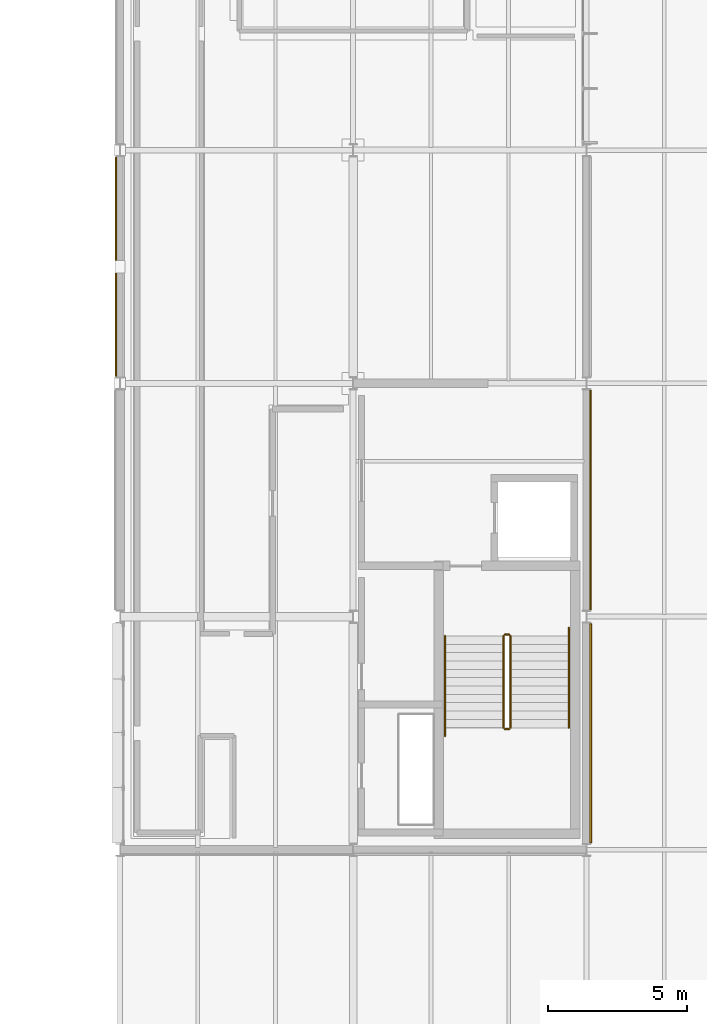
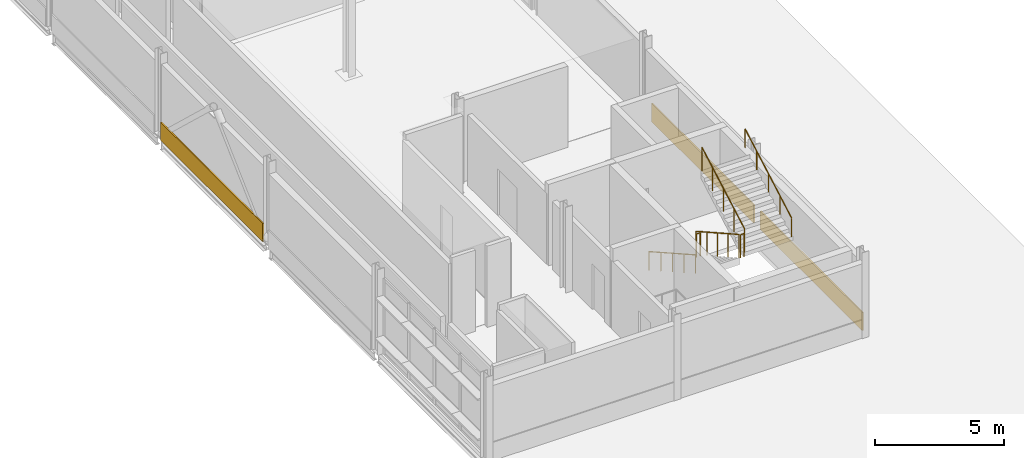
# One storey, part 147 of 151: 6 railings, 3 coverings.
"""IFC4 building model written with IfcOpenShell, lengths in metres."""

from ifc_helpers import new_model, si_unit, direction, frame, origin, origin_2d, place, context, subcontext, project, spatial, rectangle, circle, extrude, material, layer, layer_set, type_object, element, save


model = new_model("IFC4")

# Units and contexts
model_context = context("Model", 3, precision=1e-05, world=origin(), true_north=direction((0.0, 1.0)))
body_context = subcontext(model_context, "Body", "Model", "MODEL_VIEW")
ifc_project = project(units=[si_unit("LENGTHUNIT", "METRE"), si_unit("AREAUNIT", "SQUARE_METRE"), si_unit("VOLUMEUNIT", "CUBIC_METRE"), si_unit("PLANEANGLEUNIT", "RADIAN"), si_unit("MASSUNIT", "GRAM", prefix="KILO")], contexts=[model_context])

# Site, building, storey
site_placement = place(None, origin())
site = spatial("IfcSite", under=ifc_project, at=site_placement, CompositionType="ELEMENT")
building_placement = place(site_placement, origin())
building = spatial("IfcBuilding", under=site, at=building_placement, Name="Mersafa Astral City Hall", CompositionType="ELEMENT")
storey_placement = place(building_placement, frame((0.0, 0.0, 9.89990234375)))
storey = spatial("IfcBuildingStorey", under=building, at=storey_placement, Name="L02", CompositionType="ELEMENT", Elevation=9.89990234375)

# Coverings
ifc_material_1 = material(Name="Cairo Mokattam buff limestone cladding", Category="masonry")
ifc_layer = layer(ifc_material_1, 0.06005859375, Name="Cairo Mokattam buff limestone cladding")
ifc_layer_set = layer_set([ifc_layer], Name="Cairo Mokattam buff limestone cladding — ENV-COV-LIMESTONE-60")
covering_type = type_object("IfcCoveringType", Name="ENV-COV-LIMESTONE-60", PredefinedType="CLADDING", material=ifc_layer_set)
for number, where, z_axis, x_axis, name in (
    (1, (159.46044921875, 71.39990234375, 0.0), (0.0, 0.0, 1.0), (0.0, -1.0, 0.0), "L02 Cairo buff limestone rainscreen cladding 166"),
    (2, (176.554443359375, 54.60009765625, 0.0), (0.0, 0.0, 1.0), (0.0, 1.0, 0.0), "L02 Cairo buff limestone rainscreen cladding 170"),
    (3, (176.547119140625, 63.0, 0.0), (0.0, 0.0, 1.0), (0.0, 1.0, 0.0), "L02 Cairo buff limestone rainscreen cladding 171"),
):
    element("IfcCovering", number, at=place(storey_placement, frame(where, z_axis=z_axis, x_axis=x_axis)), inside=storey, type_object=covering_type, Name=name, PredefinedType="CLADDING", context=body_context, shape_type="SweptSolid", body=[
        extrude(rectangle(XDim=7.89794921875, YDim=0.06005859375, at=origin_2d()), origin(), (0.0, 0.0, 1.0), 0.860107421875),
    ])

# Railings
ifc_material_2 = material(Name="Painted architectural steel stair guard balustrade", Category="steel")
railing_type_1 = type_object("IfcRailingType", Name="GUARD-RAIL", PredefinedType="BALUSTRADE", material=ifc_material_2)
railing_1_placement = place(storey_placement, frame((173.409912109375, 58.10009765625, 0.1689453125)))
element("IfcRailing", 4, at=railing_1_placement, inside=storey, type_object=railing_type_1, Name="L02 ST4 stair guard 1", PredefinedType="BALUSTRADE", context=body_context, shape_type="SweptSolid", body=[
    extrude(circle(Radius=0.02392578125, at=origin_2d()), frame((0.0, 0.0, 1.09619140625), z_axis=(0.0, -0.871584147158, 0.490245932592), x_axis=(1.0, 0.0, 0.0)), (0.0, 0.0, 1.0), 3.786376953125),
    extrude(circle(Radius=0.02099609375, at=origin_2d()), origin(), (0.0, 0.0, 1.0), 1.072021484375),
    extrude(circle(Radius=0.02099609375, at=origin_2d()), frame((0.0, -0.824951171875, 0.464111328125)), (0.0, 0.0, 1.0), 1.072021484375),
    extrude(circle(Radius=0.02099609375, at=origin_2d()), frame((0.0, -1.64990234375, 0.92822265625)), (0.0, 0.0, 1.0), 1.072021484375),
    extrude(circle(Radius=0.02099609375, at=origin_2d()), frame((0.0, -2.47509765625, 1.39208984375)), (0.0, 0.0, 1.0), 1.072021484375),
    extrude(circle(Radius=0.02099609375, at=origin_2d()), frame((0.0, -3.300048828125, 1.856201171875)), (0.0, 0.0, 1.0), 1.072021484375),
])
railing_2_placement = place(storey_placement, frame((173.4599609375, 54.75, 2.025146484375)))
element("IfcRailing", 5, at=railing_2_placement, inside=storey, type_object=railing_type_1, Name="L02 ST4 stair guard 2", PredefinedType="BALUSTRADE", context=body_context, shape_type="SweptSolid", body=[
    extrude(circle(Radius=0.02392578125, at=origin_2d()), frame((0.0, 0.0, 1.09619140625), z_axis=(1.0, 0.0, 0.0), x_axis=(0.0, 1.0, 0.0)), (0.0, 0.0, 1.0), 0.16015625),
    extrude(circle(Radius=0.02099609375, at=origin_2d()), origin(), (0.0, 0.0, 1.0), 1.072021484375),
    extrude(circle(Radius=0.02099609375, at=origin_2d()), frame((0.16015625, 0.0, 0.0)), (0.0, 0.0, 1.0), 1.072021484375),
])
railing_3_placement = place(storey_placement, frame((173.669921875, 54.800048828125, 2.19384765625)))
element("IfcRailing", 6, at=railing_3_placement, inside=storey, type_object=railing_type_1, Name="L02 ST4 stair guard 3", PredefinedType="BALUSTRADE", context=body_context, shape_type="SweptSolid", body=[
    extrude(circle(Radius=0.02392578125, at=origin_2d()), frame((0.0, 0.0, 1.09619140625), z_axis=(0.0, 0.871584147158, 0.490245932592), x_axis=(-1.0, 0.0, 0.0)), (0.0, 0.0, 1.0), 3.786376953125),
    extrude(circle(Radius=0.02099609375, at=origin_2d()), origin(), (0.0, 0.0, 1.0), 1.072021484375),
    extrude(circle(Radius=0.02099609375, at=origin_2d()), frame((0.0, 0.824951171875, 0.464111328125)), (0.0, 0.0, 1.0), 1.072021484375),
    extrude(circle(Radius=0.02099609375, at=origin_2d()), frame((0.0, 1.64990234375, 0.92822265625)), (0.0, 0.0, 1.0), 1.072021484375),
    extrude(circle(Radius=0.02099609375, at=origin_2d()), frame((0.0, 2.47509765625, 1.39208984375)), (0.0, 0.0, 1.0), 1.072021484375),
    extrude(circle(Radius=0.02099609375, at=origin_2d()), frame((0.0, 3.300048828125, 1.856201171875)), (0.0, 0.0, 1.0), 1.072021484375),
])
railing_4_placement = place(storey_placement, frame((173.4599609375, 58.14990234375, 0.0)))
element("IfcRailing", 7, at=railing_4_placement, inside=storey, type_object=railing_type_1, Name="L02 ST4 stair guard 4", PredefinedType="BALUSTRADE", context=body_context, shape_type="SweptSolid", body=[
    extrude(circle(Radius=0.02392578125, at=origin_2d()), frame((0.0, 0.0, 1.09619140625), z_axis=(1.0, 0.0, 0.0), x_axis=(0.0, 1.0, 0.0)), (0.0, 0.0, 1.0), 0.16015625),
    extrude(circle(Radius=0.02099609375, at=origin_2d()), origin(), (0.0, 0.0, 1.0), 1.072021484375),
    extrude(circle(Radius=0.02099609375, at=origin_2d()), frame((0.16015625, 0.0, 0.0)), (0.0, 0.0, 1.0), 1.072021484375),
])
ifc_material_3 = material(Name="Brushed stainless steel tubular handrail", Category="steel")
railing_type_2 = type_object("IfcRailingType", Name="HANDRAIL", PredefinedType="HANDRAIL", material=ifc_material_3)
railing_5_placement = place(storey_placement, frame((171.31005859375, 58.10009765625, 0.1689453125)))
element("IfcRailing", 8, at=railing_5_placement, inside=storey, type_object=railing_type_2, Name="L02 ST4 stair handrail 1", PredefinedType="HANDRAIL", context=body_context, shape_type="SweptSolid", body=[
    extrude(circle(Radius=0.02392578125, at=origin_2d()), frame((0.0, 0.0, 0.8759765625), z_axis=(0.0, -0.871288196072, 0.4907717182), x_axis=(1.0, 0.0, 0.0)), (0.0, 0.0, 1.0), 4.1318359375),
    extrude(circle(Radius=0.02099609375, at=origin_2d()), origin(), (0.0, 0.0, 1.0), 0.851806640625),
    extrude(circle(Radius=0.02099609375, at=origin_2d()), frame((0.0, -0.89990234375, 0.5068359375)), (0.0, 0.0, 1.0), 0.851806640625),
    extrude(circle(Radius=0.02099609375, at=origin_2d()), frame((0.0, -1.800048828125, 1.013916015625)), (0.0, 0.0, 1.0), 0.851806640625),
    extrude(circle(Radius=0.02099609375, at=origin_2d()), frame((0.0, -2.7001953125, 1.52099609375)), (0.0, 0.0, 1.0), 0.851806640625),
    extrude(circle(Radius=0.02099609375, at=origin_2d()), frame((0.0, -3.60009765625, 2.02783203125)), (0.0, 0.0, 1.0), 0.851806640625),
])
railing_6_placement = place(storey_placement, frame((175.77001953125, 54.800048828125, 2.19384765625)))
element("IfcRailing", 9, at=railing_6_placement, inside=storey, type_object=railing_type_2, Name="L02 ST4 stair handrail 2", PredefinedType="HANDRAIL", context=body_context, shape_type="SweptSolid", body=[
    extrude(circle(Radius=0.02392578125, at=origin_2d()), frame((0.0, 0.0, 0.8759765625), z_axis=(0.0, 0.871248695433, 0.49084183879), x_axis=(-1.0, 0.0, 0.0)), (0.0, 0.0, 1.0), 4.1318359375),
    extrude(circle(Radius=0.02099609375, at=origin_2d()), origin(), (0.0, 0.0, 1.0), 0.851806640625),
    extrude(circle(Radius=0.02099609375, at=origin_2d()), frame((0.0, 0.89990234375, 0.507080078125)), (0.0, 0.0, 1.0), 0.851806640625),
    extrude(circle(Radius=0.02099609375, at=origin_2d()), frame((0.0, 1.7998046875, 1.01416015625)), (0.0, 0.0, 1.0), 0.851806640625),
    extrude(circle(Radius=0.02099609375, at=origin_2d()), frame((0.0, 2.699951171875, 1.52099609375)), (0.0, 0.0, 1.0), 0.851806640625),
    extrude(circle(Radius=0.02099609375, at=origin_2d()), frame((0.0, 3.599853515625, 2.028076171875)), (0.0, 0.0, 1.0), 0.851806640625),
])

save(model, "model.ifc")
